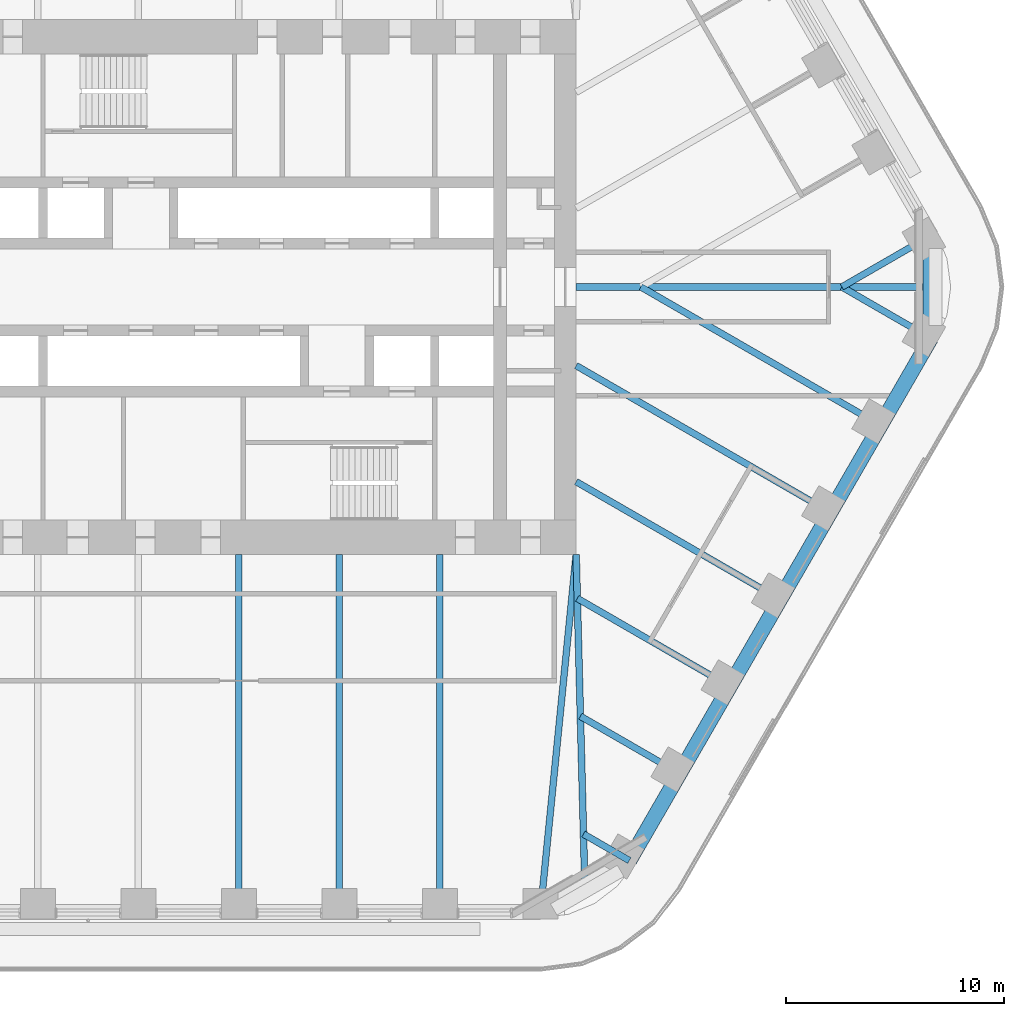
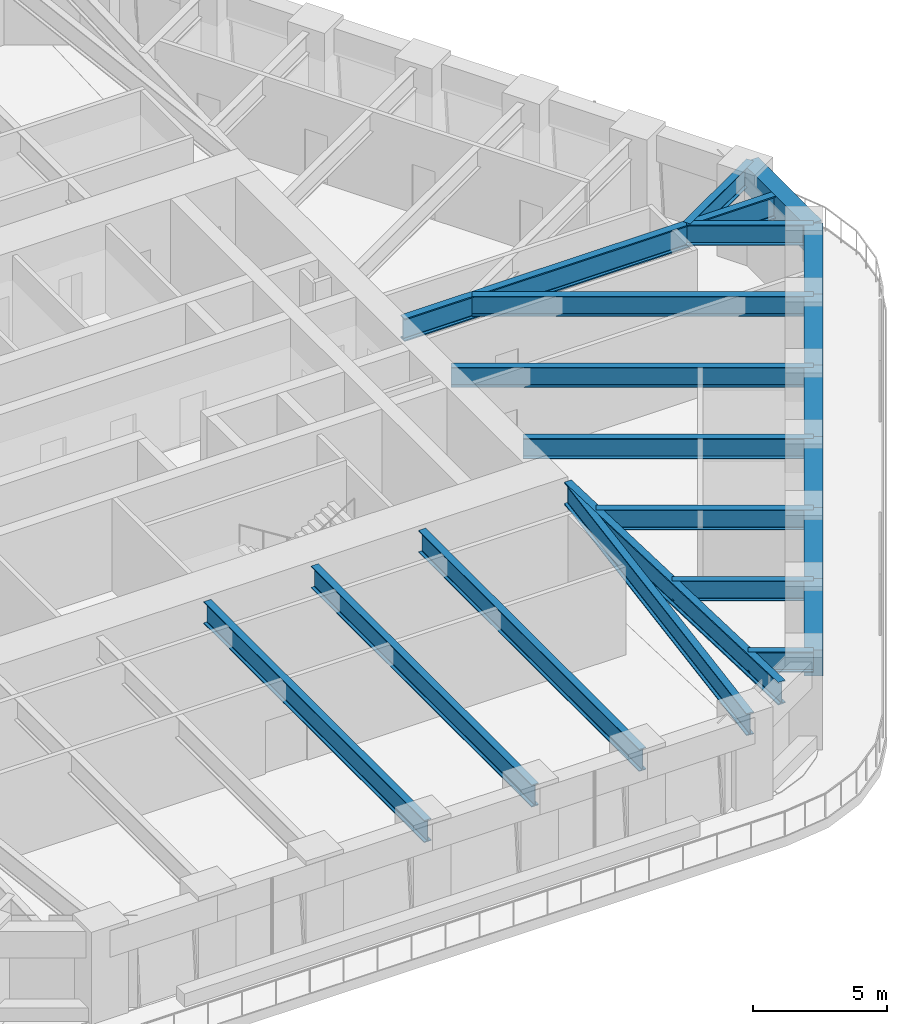
# One storey, part 5 of 20: 21 beams.
"""IFC4 building model written with IfcOpenShell, lengths in metres."""

from ifc_helpers import new_model, si_unit, direction, frame, origin, origin_2d, place, context, subcontext, project, spatial, rectangle, i_section, extrude, material, material_profile, profile_set, type_object, element, save


model = new_model("IFC4")

# Units and contexts
model_context = context("Model", 3, precision=1e-05, world=origin(), true_north=direction((0.0, 1.0)))
body_context = subcontext(model_context, "Body", "Model", "MODEL_VIEW")
ifc_project = project(units=[si_unit("LENGTHUNIT", "METRE"), si_unit("AREAUNIT", "SQUARE_METRE"), si_unit("VOLUMEUNIT", "CUBIC_METRE"), si_unit("PLANEANGLEUNIT", "RADIAN"), si_unit("MASSUNIT", "GRAM", prefix="KILO")], contexts=[model_context])

# Site, building, storey
site_placement = place(None, origin())
site = spatial("IfcSite", under=ifc_project, at=site_placement, CompositionType="ELEMENT")
building_placement = place(site_placement, origin())
building = spatial("IfcBuilding", under=site, at=building_placement, Name="Tarfa Lantern Tower", CompositionType="ELEMENT")
storey_placement = place(building_placement, frame((0.0, 0.0, 232.300048828125)))
storey = spatial("IfcBuildingStorey", under=building, at=storey_placement, Name="L52", CompositionType="ELEMENT", Elevation=232.300048828125)

# Beams
ifc_material_1 = material(Name="Concrete C80/95", Category="concrete")
ifc_material_profile_1 = material_profile(ifc_material_1, rectangle(XDim=0.699951171875, YDim=1.199951171875, at=origin_2d()), Name="RC 700x1200")
ifc_profile_set_1 = profile_set([ifc_material_profile_1], Name="Concrete C80/95")
beam_type_1 = type_object("IfcBeamType", Name="EB3 RC 700x1200", PredefinedType="SPANDREL", material=ifc_profile_set_1)
for number, where, z_axis, x_axis, name in (
    (1, (17.944091796875, -26.360107421875, 3.39990234375), (0.499987836815, 0.866032426089, 0.0), (-0.866032426089, 0.499987836815, 0.0), "Edge beam SE0"),
    (2, (20.25341796875, -22.360107421875, 3.39990234375), (0.499987836815, 0.866032426089, 0.0), (-0.866032426089, 0.499987836815, 0.0), "Edge beam SE1"),
):
    element("IfcBeam", number, at=place(storey_placement, frame(where, z_axis=z_axis, x_axis=x_axis)), inside=storey, type_object=beam_type_1, Name=name, PredefinedType="SPANDREL", context=body_context, shape_type="SweptSolid", body=[
        extrude(rectangle(XDim=0.699951171875, YDim=1.199951171875, at=origin_2d()), origin(), (0.0, 0.0, 1.0), 4.61865234375),
    ])
beam_1_placement = place(storey_placement, frame((22.562744140625, -18.360107421875, 3.39990234375), z_axis=(0.500027479704, 0.866009537788, 0.0), x_axis=(-0.866009537788, 0.500027479704, 0.0)))
element("IfcBeam", 3, at=beam_1_placement, inside=storey, type_object=beam_type_1, Name="Edge beam SE2", PredefinedType="SPANDREL", context=body_context, shape_type="SweptSolid", body=[
    extrude(rectangle(XDim=0.699951171875, YDim=1.199951171875, at=origin_2d()), origin(), (0.0, 0.0, 1.0), 4.618896484375),
])
for number, where, z_axis, x_axis, name in (
    (4, (24.872314453125, -14.360107421875, 3.39990234375), (0.499987836815, 0.866032426089, 0.0), (-0.866032426089, 0.499987836815, 0.0), "Edge beam SE3"),
    (5, (27.181640625, -10.360107421875, 3.39990234375), (0.499987836815, 0.866032426089, 0.0), (-0.866032426089, 0.499987836815, 0.0), "Edge beam SE4"),
):
    element("IfcBeam", number, at=place(storey_placement, frame(where, z_axis=z_axis, x_axis=x_axis)), inside=storey, type_object=beam_type_1, Name=name, PredefinedType="SPANDREL", context=body_context, shape_type="SweptSolid", body=[
        extrude(rectangle(XDim=0.699951171875, YDim=1.199951171875, at=origin_2d()), origin(), (0.0, 0.0, 1.0), 4.61865234375),
    ])
beam_2_placement = place(storey_placement, frame((29.490966796875, -6.360107421875, 3.39990234375), z_axis=(0.500027479704, 0.866009537788, 0.0), x_axis=(-0.866009537788, 0.500027479704, 0.0)))
element("IfcBeam", 6, at=beam_2_placement, inside=storey, type_object=beam_type_1, Name="Edge beam SE5", PredefinedType="SPANDREL", context=body_context, shape_type="SweptSolid", body=[
    extrude(rectangle(XDim=0.699951171875, YDim=1.199951171875, at=origin_2d()), origin(), (0.0, 0.0, 1.0), 4.618896484375),
])
beam_3_placement = place(storey_placement, frame((31.800537109375, -2.360107421875, 3.39990234375), z_axis=(0.0, 1.0, 0.0), x_axis=(-1.0, 0.0, 0.0)))
element("IfcBeam", 7, at=beam_3_placement, inside=storey, type_object=beam_type_1, Name="Edge beam SE6", PredefinedType="SPANDREL", context=body_context, shape_type="SweptSolid", body=[
    extrude(rectangle(XDim=0.699951171875, YDim=1.199951171875, at=origin_2d()), origin(), (0.0, 0.0, 1.0), 4.72021484375),
])
ifc_material_2 = material(Name="Steel S460M", Category="steel")
ifc_material_profile_2 = material_profile(ifc_material_2, i_section(OverallWidth=0.302001953125, OverallDepth=1.008056640625, WebThickness=0.02099609375, FlangeThickness=0.0400390625, FilletRadius=0.030029296875, at=origin_2d()), Name="UB1016x305x349")
ifc_profile_set_2 = profile_set([ifc_material_profile_2], Name="Steel S460M")
beam_type_2 = type_object("IfcBeamType", Name="UB1016x305x349", PredefinedType="BEAM", material=ifc_profile_set_2)
for number, where, z_axis, x_axis, name in (
    (8, (0.0, -28.719970703125, 3.495849609375), (0.0, 1.0, 0.0), (-1.0, 0.0, 0.0), "Floor beam S3"),
    (9, (4.618896484375, -28.719970703125, 3.495849609375), (0.0, 1.0, 0.0), (-1.0, 0.0, 0.0), "Floor beam S4"),
    (10, (9.237548828125, -28.719970703125, 3.495849609375), (0.0, 1.0, 0.0), (-1.0, 0.0, 0.0), "Floor beam S5"),
):
    element("IfcBeam", number, at=place(storey_placement, frame(where, z_axis=z_axis, x_axis=x_axis)), inside=storey, type_object=beam_type_2, Name=name, PredefinedType="BEAM", context=body_context, shape_type="SweptSolid", body=[
        extrude(i_section(OverallWidth=0.302001953125, OverallDepth=1.008056640625, WebThickness=0.02099609375, FlangeThickness=0.0400390625, FilletRadius=0.030029296875, at=origin_2d()), origin(), (0.0, 0.0, 1.0), 16.419921875),
    ])
beam_4_placement = place(storey_placement, frame((13.8564453125, -28.719970703125, 3.495849609375), z_axis=(0.099597466746, 0.995027810977, 0.0), x_axis=(-0.995027810977, 0.099597466746, 0.0)))
element("IfcBeam", 11, at=beam_4_placement, inside=storey, type_object=beam_type_2, Name="Floor beam S6", PredefinedType="BEAM", context=body_context, shape_type="SweptSolid", body=[
    extrude(i_section(OverallWidth=0.302001953125, OverallDepth=1.008056640625, WebThickness=0.02099609375, FlangeThickness=0.0400390625, FilletRadius=0.030029296875, at=origin_2d()), origin(), (0.0, 0.0, 1.0), 16.501953125),
])
ifc_material_profile_3 = material_profile(ifc_material_2, i_section(OverallWidth=0.30859375, OverallDepth=1.036376953125, WebThickness=0.030029296875, FlangeThickness=0.05419921875, FilletRadius=0.030029296875, at=origin_2d()), Name="UB1016x305x487")
ifc_profile_set_3 = profile_set([ifc_material_profile_3], Name="Steel S460M")
beam_type_3 = type_object("IfcBeamType", Name="UB1016x305x487", PredefinedType="BEAM", material=ifc_profile_set_3)
beam_5_placement = place(storey_placement, frame((15.5, 0.0, 3.481689453125), z_axis=(1.0, 0.0, 0.0), x_axis=(0.0, 1.0, 0.0)))
element("IfcBeam", 12, at=beam_5_placement, inside=storey, type_object=beam_type_3, Name="Hip girder E", PredefinedType="BEAM", context=body_context, shape_type="SweptSolid", body=[
    extrude(i_section(OverallWidth=0.30859375, OverallDepth=1.036376953125, WebThickness=0.030029296875, FlangeThickness=0.05419921875, FilletRadius=0.030029296875, at=origin_2d()), origin(), (0.0, 0.0, 1.0), 16.300537109375),
])
beam_6_placement = place(storey_placement, frame((15.5, -12.300048828125, 3.481689453125), z_axis=(0.026247301989, -0.999655480222, 0.0), x_axis=(0.999655480222, 0.026247301989, 0.0)))
element("IfcBeam", 13, at=beam_6_placement, inside=storey, type_object=beam_type_3, Name="Hip girder SE", PredefinedType="BEAM", context=body_context, shape_type="SweptSolid", body=[
    extrude(i_section(OverallWidth=0.30859375, OverallDepth=1.036376953125, WebThickness=0.030029296875, FlangeThickness=0.05419921875, FilletRadius=0.030029296875, at=origin_2d()), origin(), (0.0, 0.0, 1.0), 15.245361328125),
])
ifc_material_profile_4 = material_profile(ifc_material_2, i_section(OverallWidth=0.305419921875, OverallDepth=0.91845703125, WebThickness=0.017333984375, FlangeThickness=0.02783203125, FilletRadius=0.01904296875, at=origin_2d()), Name="UB914x305x253")
ifc_profile_set_4 = profile_set([ifc_material_profile_4], Name="Steel S460M")
beam_type_4 = type_object("IfcBeamType", Name="UB914x305x253", PredefinedType="BEAM", material=ifc_profile_set_4)
beam_7_placement = place(storey_placement, frame((31.800537109375, 2.360107421875, 3.540771484375), z_axis=(-0.866015897305, -0.500016465344, 0.0), x_axis=(0.500016465344, -0.866015897305, 0.0)))
element("IfcBeam", 14, at=beam_7_placement, inside=storey, type_object=beam_type_4, Name="Floor beam NE0", PredefinedType="BEAM", context=body_context, shape_type="SweptSolid", body=[
    extrude(i_section(OverallWidth=0.305419921875, OverallDepth=0.91845703125, WebThickness=0.017333984375, FlangeThickness=0.02783203125, FilletRadius=0.01904296875, at=origin_2d()), origin(), (0.0, 0.0, 1.0), 4.719970703125),
])
beam_8_placement = place(storey_placement, frame((17.944091796875, -26.360107421875, 3.540771484375), z_axis=(-0.865980009423, 0.5000786171, 0.0), x_axis=(-0.5000786171, -0.865980009423, 0.0)))
element("IfcBeam", 15, at=beam_8_placement, inside=storey, type_object=beam_type_4, Name="Floor beam SE0", PredefinedType="BEAM", context=body_context, shape_type="SweptSolid", body=[
    extrude(i_section(OverallWidth=0.305419921875, OverallDepth=0.91845703125, WebThickness=0.017333984375, FlangeThickness=0.02783203125, FilletRadius=0.01904296875, at=origin_2d()), origin(), (0.0, 0.0, 1.0), 2.4326171875),
])
beam_9_placement = place(storey_placement, frame((20.25341796875, -22.360107421875, 3.540771484375), z_axis=(-0.86601951648, 0.500010196972, 0.0), x_axis=(-0.500010196972, -0.86601951648, 0.0)))
element("IfcBeam", 16, at=beam_9_placement, inside=storey, type_object=beam_type_4, Name="Floor beam SE1", PredefinedType="BEAM", context=body_context, shape_type="SweptSolid", body=[
    extrude(i_section(OverallWidth=0.305419921875, OverallDepth=0.91845703125, WebThickness=0.017333984375, FlangeThickness=0.02783203125, FilletRadius=0.01904296875, at=origin_2d()), origin(), (0.0, 0.0, 1.0), 5.263671875),
])
beam_10_placement = place(storey_placement, frame((22.562744140625, -18.360107421875, 3.540771484375), z_axis=(-0.866010787764, 0.500025314835, 0.0), x_axis=(-0.500025314835, -0.866010787764, 0.0)))
element("IfcBeam", 17, at=beam_10_placement, inside=storey, type_object=beam_type_4, Name="Floor beam SE2", PredefinedType="BEAM", context=body_context, shape_type="SweptSolid", body=[
    extrude(i_section(OverallWidth=0.305419921875, OverallDepth=0.91845703125, WebThickness=0.017333984375, FlangeThickness=0.02783203125, FilletRadius=0.01904296875, at=origin_2d()), origin(), (0.0, 0.0, 1.0), 8.09423828125),
])
beam_11_placement = place(storey_placement, frame((24.872314453125, -14.360107421875, 3.540771484375), z_axis=(-0.8660244219, 0.500001700669, 0.0), x_axis=(-0.500001700669, -0.8660244219, 0.0)))
element("IfcBeam", 18, at=beam_11_placement, inside=storey, type_object=beam_type_4, Name="Floor beam SE3", PredefinedType="BEAM", context=body_context, shape_type="SweptSolid", body=[
    extrude(i_section(OverallWidth=0.305419921875, OverallDepth=0.91845703125, WebThickness=0.017333984375, FlangeThickness=0.02783203125, FilletRadius=0.01904296875, at=origin_2d()), origin(), (0.0, 0.0, 1.0), 10.822265625),
])
beam_12_placement = place(storey_placement, frame((27.181640625, -10.360107421875, 3.540771484375), z_axis=(-0.866018002818, 0.500012818631, 0.0), x_axis=(-0.500012818631, -0.866018002818, 0.0)))
element("IfcBeam", 19, at=beam_12_placement, inside=storey, type_object=beam_type_4, Name="Floor beam SE4", PredefinedType="BEAM", context=body_context, shape_type="SweptSolid", body=[
    extrude(i_section(OverallWidth=0.305419921875, OverallDepth=0.91845703125, WebThickness=0.017333984375, FlangeThickness=0.02783203125, FilletRadius=0.01904296875, at=origin_2d()), origin(), (0.0, 0.0, 1.0), 13.489013671875),
])
beam_13_placement = place(storey_placement, frame((29.490966796875, -6.360107421875, 3.540771484375), z_axis=(-0.866022258038, 0.500005448553, 0.0), x_axis=(-0.500005448553, -0.866022258038, 0.0)))
element("IfcBeam", 20, at=beam_13_placement, inside=storey, type_object=beam_type_4, Name="Floor beam SE5", PredefinedType="BEAM", context=body_context, shape_type="SweptSolid", body=[
    extrude(i_section(OverallWidth=0.305419921875, OverallDepth=0.91845703125, WebThickness=0.017333984375, FlangeThickness=0.02783203125, FilletRadius=0.01904296875, at=origin_2d()), origin(), (0.0, 0.0, 1.0), 12.719970703125),
])
beam_14_placement = place(storey_placement, frame((31.800537109375, -2.360107421875, 3.540771484375), z_axis=(-0.866015897305, 0.500016465344, 0.0), x_axis=(-0.500016465344, -0.866015897305, 0.0)))
element("IfcBeam", 21, at=beam_14_placement, inside=storey, type_object=beam_type_4, Name="Floor beam SE6", PredefinedType="BEAM", context=body_context, shape_type="SweptSolid", body=[
    extrude(i_section(OverallWidth=0.305419921875, OverallDepth=0.91845703125, WebThickness=0.017333984375, FlangeThickness=0.02783203125, FilletRadius=0.01904296875, at=origin_2d()), origin(), (0.0, 0.0, 1.0), 4.719970703125),
])

save(model, "model.ifc")
